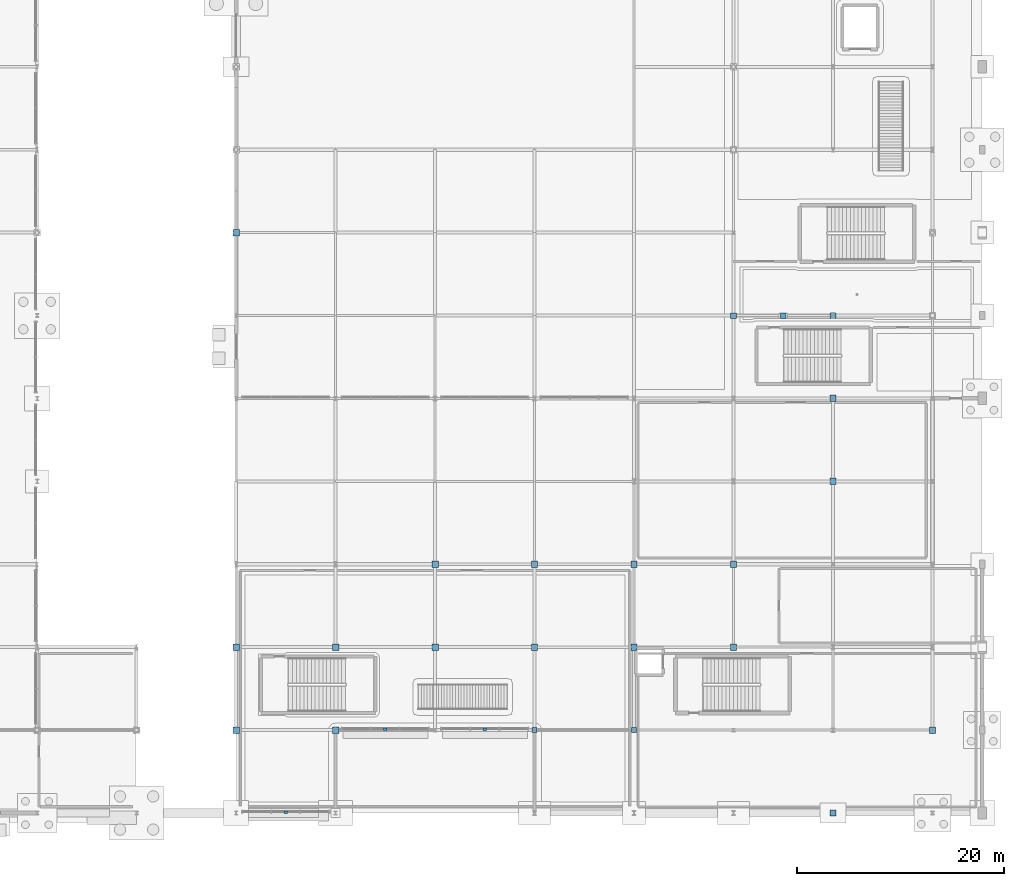
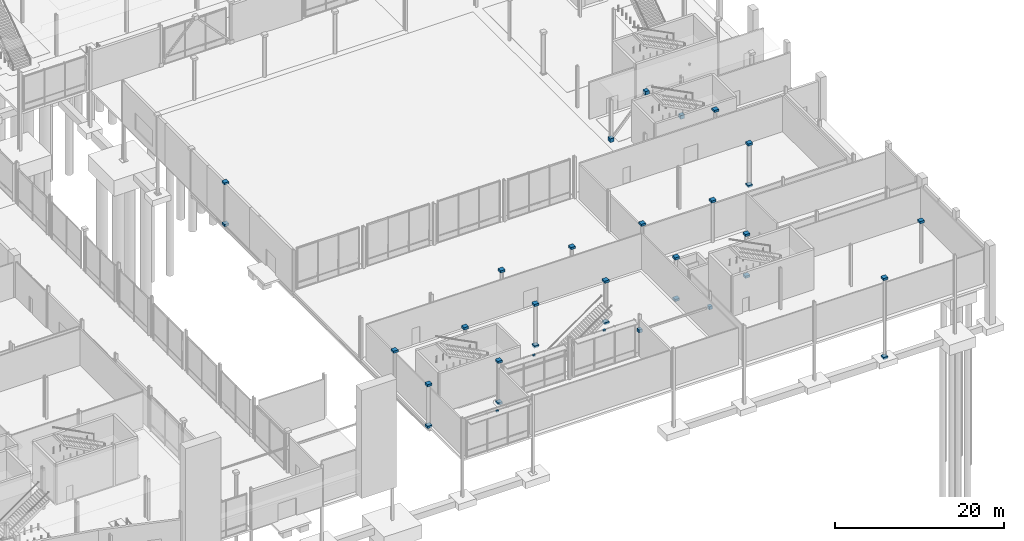
# One storey, part 96 of 124: 34 discrete accessories.
"""IFC4 building model written with IfcOpenShell, lengths in metres."""

from ifc_helpers import new_model, si_unit, direction, frame, origin, origin_2d, place, context, subcontext, project, spatial, rectangle, extrude, material, type_object, element, save


model = new_model("IFC4")

# Units and contexts
model_context = context("Model", 3, precision=1e-05, world=origin(), true_north=direction((0.0, 1.0)))
body_context = subcontext(model_context, "Body", "Model", "MODEL_VIEW")
ifc_project = project(units=[si_unit("LENGTHUNIT", "METRE"), si_unit("AREAUNIT", "SQUARE_METRE"), si_unit("VOLUMEUNIT", "CUBIC_METRE"), si_unit("PLANEANGLEUNIT", "RADIAN"), si_unit("MASSUNIT", "GRAM", prefix="KILO")], contexts=[model_context])

# Site, building, storey
site_placement = place(None, origin())
site = spatial("IfcSite", under=ifc_project, at=site_placement, CompositionType="ELEMENT")
building_placement = place(site_placement, origin())
building = spatial("IfcBuilding", under=site, at=building_placement, Name="Danafjord Basin Convention Centre", CompositionType="ELEMENT")
storey_placement = place(building_placement, origin())
storey = spatial("IfcBuildingStorey", under=building, at=storey_placement, Name="L00", CompositionType="ELEMENT", Elevation=0.0)

# Discrete accessories
ifc_material_1 = material(Name="Stainless steel EN 1.4404", Category="steel")
discrete_accessory_type_1 = type_object("IfcDiscreteAccessoryType", Name="ACC-FIN-BRK", PredefinedType="BRACKET", material=ifc_material_1)
for number, where, z_axis, x_axis, name in (
    (1, (148.800048828125, 0.070068359375, 5.1298828125), (0.0, 0.0, 1.0), (1.0, 0.0, 0.0), "Sunshade tie-back bracket"),
    (2, (158.39990234375, 8.070068359375, 4.93017578125), (0.0, 0.0, 1.0), (1.0, 0.0, 0.0), "Sunshade tie-back bracket"),
    (3, (168.0, 8.070068359375, 5.18017578125), (0.0, 0.0, 1.0), (1.0, 0.0, 0.0), "Sunshade tie-back bracket"),
):
    element("IfcDiscreteAccessory", number, at=place(storey_placement, frame(where, z_axis=z_axis, x_axis=x_axis)), inside=storey, type_object=discrete_accessory_type_1, Name=name, PredefinedType="BRACKET", context=body_context, shape_type="SweptSolid", body=[
        extrude(rectangle(XDim=0.340087890625, YDim=0.260009765625, at=origin_2d()), origin(), (0.0, 0.0, 1.0), 0.219970703125),
    ])
ifc_material_2 = material(Name="Steel S355", Category="steel")
discrete_accessory_type_2 = type_object("IfcDiscreteAccessoryType", Name="ACC-SF-HUB", PredefinedType="BRACKET", material=ifc_material_2)
for number, where, z_axis, x_axis, name in (
    (4, (144.0, 8.0, -0.16015625), (0.0, 0.0, 1.0), (1.0, 0.0, 0.0), "Tubular steel column transition collar"),
    (5, (144.0, 8.0, 5.83984375), (0.0, 0.0, 1.0), (1.0, 0.0, 0.0), "Tubular steel column top cap plate"),
    (6, (144.0, 16.0, 5.83984375), (0.0, 0.0, 1.0), (1.0, 0.0, 0.0), "Tubular steel column top cap plate"),
    (7, (144.0, 56.0, -0.16015625), (0.0, 0.0, 1.0), (1.0, 0.0, 0.0), "Tubular steel column transition collar"),
    (8, (144.0, 56.0, 5.83984375), (0.0, 0.0, 1.0), (1.0, 0.0, 0.0), "Tubular steel column top cap plate"),
    (9, (153.60009765625, 8.0, -0.16015625), (0.0, 0.0, 1.0), (1.0, 0.0, 0.0), "Tubular steel column transition collar"),
    (10, (153.60009765625, 8.0, 5.83984375), (0.0, 0.0, 1.0), (1.0, 0.0, 0.0), "Tubular steel column top cap plate"),
    (11, (153.60009765625, 16.0, 5.83984375), (0.0, 0.0, 1.0), (1.0, 0.0, 0.0), "Tubular steel column top cap plate"),
    (12, (163.199951171875, 16.0, -0.16015625), (0.0, 0.0, 1.0), (1.0, 0.0, 0.0), "Tubular steel column transition collar"),
    (13, (163.199951171875, 16.0, 5.83984375), (0.0, 0.0, 1.0), (1.0, 0.0, 0.0), "Tubular steel column top cap plate"),
    (14, (163.199951171875, 24.0, 5.83984375), (0.0, 0.0, 1.0), (1.0, 0.0, 0.0), "Tubular steel column top cap plate"),
    (15, (172.800048828125, 16.0, -0.16015625), (0.0, 0.0, 1.0), (1.0, 0.0, 0.0), "Tubular steel column transition collar"),
    (16, (172.800048828125, 16.0, 5.83984375), (0.0, 0.0, 1.0), (1.0, 0.0, 0.0), "Tubular steel column top cap plate"),
    (17, (172.800048828125, 24.0, 5.83984375), (0.0, 0.0, 1.0), (1.0, 0.0, 0.0), "Tubular steel column top cap plate"),
    (18, (182.39990234375, 16.0, -0.16015625), (0.0, 0.0, 1.0), (1.0, 0.0, 0.0), "Tubular steel column transition collar"),
    (19, (182.39990234375, 16.0, 5.83984375), (0.0, 0.0, 1.0), (1.0, 0.0, 0.0), "Tubular steel column top cap plate"),
    (20, (182.39990234375, 24.0, 5.83984375), (0.0, 0.0, 1.0), (1.0, 0.0, 0.0), "Tubular steel column top cap plate"),
    (21, (192.0, 16.0, -0.16015625), (0.0, 0.0, 1.0), (1.0, 0.0, 0.0), "Tubular steel column transition collar"),
    (22, (192.0, 16.0, 5.83984375), (0.0, 0.0, 1.0), (1.0, 0.0, 0.0), "Tubular steel column top cap plate"),
    (23, (192.0, 24.0, 5.83984375), (0.0, 0.0, 1.0), (1.0, 0.0, 0.0), "Tubular steel column top cap plate"),
    (24, (201.60009765625, 0.0, -5.56005859375), (0.0, 0.0, 1.0), (1.0, 0.0, 0.0), "Tubular steel column base collar"),
    (25, (201.60009765625, 0.0, 5.83984375), (0.0, 0.0, 1.0), (1.0, 0.0, 0.0), "Tubular steel column top cap plate"),
    (26, (201.60009765625, 32.0, -0.16015625), (0.0, 0.0, 1.0), (1.0, 0.0, 0.0), "Tubular steel column transition collar"),
    (27, (201.60009765625, 32.0, 5.83984375), (0.0, 0.0, 1.0), (1.0, 0.0, 0.0), "Tubular steel column top cap plate"),
    (28, (201.60009765625, 40.0, 5.83984375), (0.0, 0.0, 1.0), (1.0, 0.0, 0.0), "Tubular steel column top cap plate"),
    (29, (211.199951171875, 8.0, 5.83984375), (0.0, 0.0, 1.0), (1.0, 0.0, 0.0), "Tubular steel column top cap plate"),
):
    element("IfcDiscreteAccessory", number, at=place(storey_placement, frame(where, z_axis=z_axis, x_axis=x_axis)), inside=storey, type_object=discrete_accessory_type_2, Name=name, PredefinedType="BRACKET", context=body_context, shape_type="SweptSolid", body=[
        extrude(rectangle(XDim=0.6201171875, YDim=0.6201171875, at=origin_2d()), origin(), (0.0, 0.0, 1.0), 0.320068359375),
    ])
for number, where, z_axis, x_axis, name in (
    (30, (172.800048828125, 8.0, 3.445068359375), (0.0, 0.0, 1.0), (1.0, 0.0, 0.0), "Portal lintel end cap collar"),
    (31, (182.39990234375, 8.0, 3.445068359375), (0.0, 0.0, 1.0), (1.0, 0.0, 0.0), "Portal lintel end cap collar"),
):
    element("IfcDiscreteAccessory", number, at=place(storey_placement, frame(where, z_axis=z_axis, x_axis=x_axis)), inside=storey, type_object=discrete_accessory_type_2, Name=name, PredefinedType="BRACKET", context=body_context, shape_type="SweptSolid", body=[
        extrude(rectangle(XDim=0.4599609375, YDim=0.4599609375, at=origin_2d()), origin(), (0.0, 0.0, 1.0), 0.4599609375),
    ])
for number, where, z_axis, x_axis, name in (
    (32, (192.0, 48.0, -0.02001953125), (0.0, 0.0, 1.0), (1.0, 0.0, 0.0), "Braced frame closed steel node"),
    (33, (201.60009765625, 48.0, -0.02001953125), (0.0, 0.0, 1.0), (1.0, 0.0, 0.0), "Braced frame closed steel node"),
    (34, (196.800048828125, 48.0, 5.1298828125), (0.0, 0.0, 1.0), (1.0, 0.0, 0.0), "Braced frame closed steel node"),
):
    element("IfcDiscreteAccessory", number, at=place(storey_placement, frame(where, z_axis=z_axis, x_axis=x_axis)), inside=storey, type_object=discrete_accessory_type_2, Name=name, PredefinedType="BRACKET", context=body_context, shape_type="SweptSolid", body=[
        extrude(rectangle(XDim=0.5400390625, YDim=0.5400390625, at=origin_2d()), origin(), (0.0, 0.0, 1.0), 0.5400390625),
    ])

save(model, "model.ifc")
